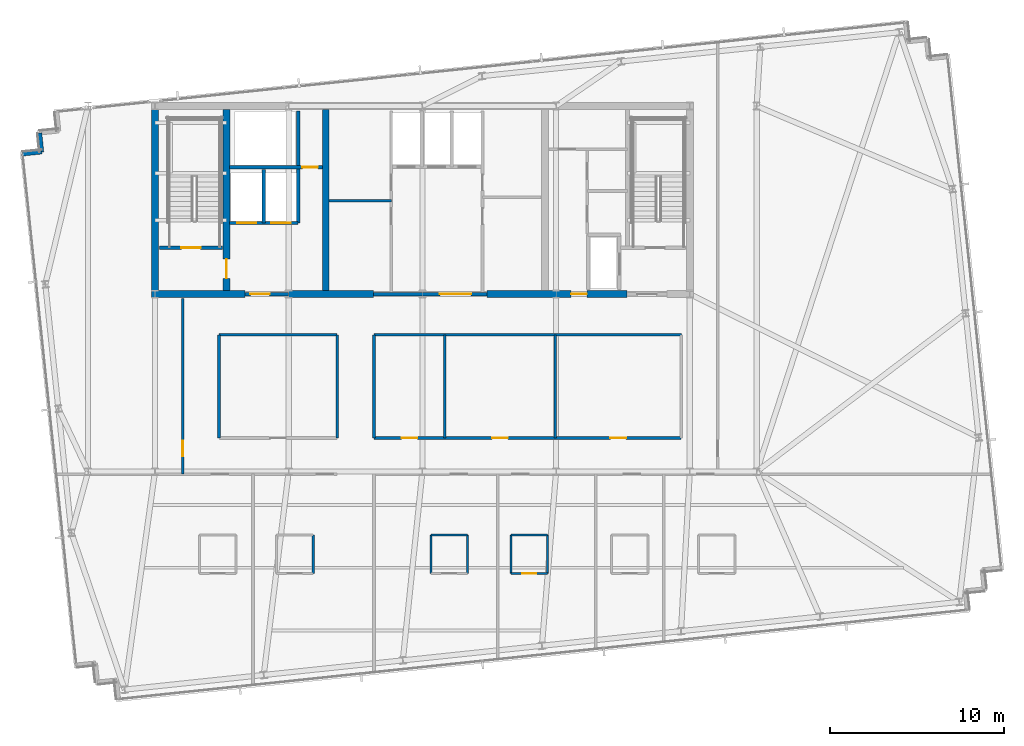
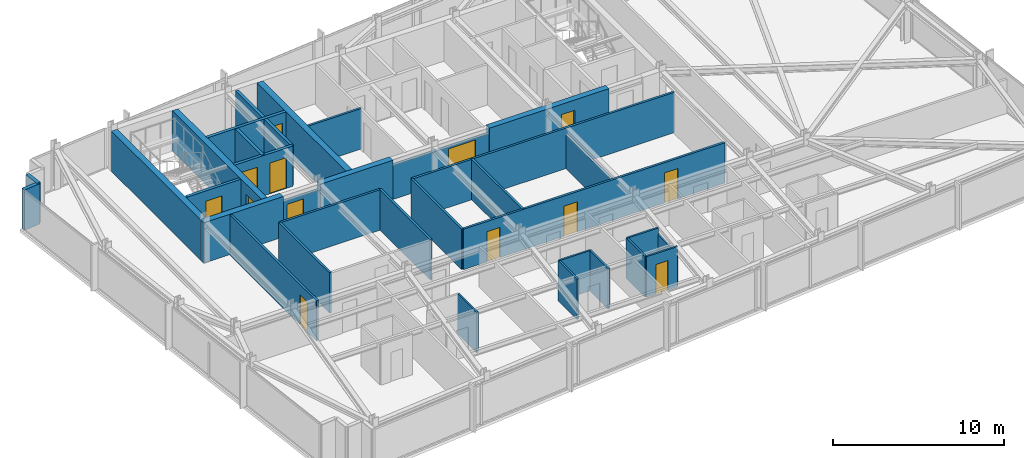
# One storey, part 27 of 33: 33 walls, 13 doors, 13 openings.
"""IFC4 building model written with IfcOpenShell, lengths in metres."""

from ifc_helpers import new_model, si_unit, direction, frame, frame_2d, origin, place, context, subcontext, project, spatial, rectangle, extrude, material, layer, layer_set, type_object, element, fill, save


model = new_model("IFC4")

# Units and contexts
model_context = context("Model", 3, precision=1e-05, world=origin(), true_north=direction((0.0, 1.0)))
body_context = subcontext(model_context, "Body", "Model", "MODEL_VIEW")
ifc_project = project(units=[si_unit("LENGTHUNIT", "METRE"), si_unit("AREAUNIT", "SQUARE_METRE"), si_unit("VOLUMEUNIT", "CUBIC_METRE"), si_unit("PLANEANGLEUNIT", "RADIAN"), si_unit("MASSUNIT", "GRAM", prefix="KILO")], contexts=[model_context])

# Site, building, storey
site_placement = place(None, origin())
site = spatial("IfcSite", under=ifc_project, at=site_placement, CompositionType="ELEMENT")
building_placement = place(site_placement, origin())
building = spatial("IfcBuilding", under=site, at=building_placement, Name="Yelkora Congress Tower", CompositionType="ELEMENT")
storey_placement = place(building_placement, frame((0.0, 0.0, 244.10009765625)))
storey = spatial("IfcBuildingStorey", under=building, at=storey_placement, Name="L68", CompositionType="ELEMENT", Elevation=244.10009765625)

# Walls
ifc_material_1 = material(Name="Concrete C50/60", Category="concrete")
ifc_layer_1 = layer(ifc_material_1, 0.39990234375)
ifc_layer_set_1 = layer_set([ifc_layer_1], Name="Concrete C50/60")
wall_type_1 = type_object("IfcWallType", Name="WALL-CORE-INT-400", PredefinedType="SHEAR", material=ifc_layer_set_1)
wall_1_placement = place(storey_placement, frame((22.840087890625, 35.39990234375, 0.0), z_axis=(0.0, 0.0, 1.0), x_axis=(1.0, 0.0, 0.0)))
element("IfcWall", 1, at=wall_1_placement, inside=storey, type_object=wall_type_1, Name="L68 Rear Core South-West Shear Wall", PredefinedType="SHEAR", context=body_context, shape_type="SweptSolid", body=[
    extrude(rectangle(XDim=5.35986328125, YDim=0.39990234375, at=frame_2d((2.679931640625, 0.0))), origin(), (0.0, 0.0, 1.0), 2.8798828125),
])
wall_2_placement = place(storey_placement, frame((30.719970703125, 35.39990234375, 0.0), z_axis=(0.0, 0.0, 1.0), x_axis=(1.0, 0.0, 0.0)))
element("IfcWall", 2, at=wall_2_placement, inside=storey, type_object=wall_type_1, Name="L68 Rear Core South-Center Shear Pier", PredefinedType="SHEAR", context=body_context, shape_type="SweptSolid", body=[
    extrude(rectangle(XDim=4.880126953125, YDim=0.39990234375, at=frame_2d((2.43994140625, 0.0))), origin(), (0.0, 0.0, 1.0), 2.8798828125),
])

# Wall, opening, door
wall_3_placement = place(storey_placement, frame((42.10009765625, 35.39990234375, 0.0), z_axis=(0.0, 0.0, 1.0), x_axis=(1.0, 0.0, 0.0)))
wall_3 = element("IfcWall", 3, at=wall_3_placement, inside=storey, type_object=wall_type_1, Name="L68 Rear Core South-East Shear Wall A", PredefinedType="SHEAR", context=body_context, shape_type="SweptSolid", body=[
    extrude(rectangle(XDim=8.0498046875, YDim=0.39990234375, at=frame_2d((4.02490234375, 0.0))), origin(), (0.0, 0.0, 1.0), 2.8798828125),
])
opening_1_placement = place(wall_3_placement, frame((4.85009765625, 0.0, 0.0)))
opening_1 = element("IfcOpeningElement", 4, at=opening_1_placement, cuts=wall_3, Name="Opening DR-090F6", PredefinedType="OPENING", context=body_context, shape_type="SweptSolid", body=[
    extrude(rectangle(XDim=0.89990234375, YDim=2.14990234375, at=frame_2d((0.449951171875, 1.074951171875))), frame((0.0, 0.2099609375, 0.0), z_axis=(0.0, -1.0, 0.0), x_axis=(1.0, 0.0, 0.0)), (0.0, 0.0, 1.0), 0.419921875),
])
ifc_material_2 = material(Name="Painted steel riser fire door leaf", Category="steel")
door_type_1 = type_object("IfcDoorType", Name="DOOR-FD60-900", OperationType="NOTDEFINED", PredefinedType="DOOR", material=ifc_material_2)
door_1_placement = place(opening_1_placement, origin())
door_1 = element("IfcDoor", 5, at=door_1_placement, inside=storey, type_object=door_type_1, Name="L68 Core Washroom Lobby Door", OperationType="SINGLE_SWING_RIGHT", OverallHeight=2.14990234375, OverallWidth=0.89990234375, PredefinedType="DOOR", context=body_context, shape_type="SweptSolid", body=[
    extrude(rectangle(XDim=0.89990234375, YDim=2.14990234375, at=frame_2d((0.449951171875, 1.074951171875))), frame((0.0, 0.02490234375, 0.0), z_axis=(0.0, -1.0, 0.0), x_axis=(1.0, 0.0, 0.0)), (0.0, 0.0, 1.0), 0.050048828125),
])
fill(opening_1, door_1)

# Wall
wall_4_placement = place(storey_placement, frame((23.0400390625, 35.60009765625, 0.0), z_axis=(0.0, 0.0, 1.0), x_axis=(0.0, 1.0, 0.0)))
element("IfcWall", 6, at=wall_4_placement, inside=storey, type_object=wall_type_1, Name="L68 Rear Core Cross Shear Wall W", PredefinedType="SHEAR", context=body_context, shape_type="SweptSolid", body=[
    extrude(rectangle(XDim=10.39990234375, YDim=0.39990234375, at=frame_2d((5.199951171875, 0.0))), origin(), (0.0, 0.0, 1.0), 2.8798828125),
])

# Wall, opening, door
wall_5_placement = place(storey_placement, frame((27.14990234375, 35.60009765625, 0.0), z_axis=(0.0, 0.0, 1.0), x_axis=(0.0, 1.0, 0.0)))
wall_5 = element("IfcWall", 7, at=wall_5_placement, inside=storey, type_object=wall_type_1, Name="L68 Rear Core Cross Shear Wall C1", PredefinedType="SHEAR", context=body_context, shape_type="SweptSolid", body=[
    extrude(rectangle(XDim=10.39990234375, YDim=0.39990234375, at=frame_2d((5.199951171875, 0.0))), origin(), (0.0, 0.0, 1.0), 2.8798828125),
])
opening_2_placement = place(wall_5_placement, frame((0.699951171875, 0.0, 0.0)))
opening_2 = element("IfcOpeningElement", 8, at=opening_2_placement, cuts=wall_5, Name="Opening DR-110F9", PredefinedType="OPENING", context=body_context, shape_type="SweptSolid", body=[
    extrude(rectangle(XDim=1.10009765625, YDim=2.14990234375, at=frame_2d((0.550048828125, 1.074951171875))), frame((0.0, 0.2099609375, 0.0), z_axis=(0.0, -1.0, 0.0), x_axis=(1.0, 0.0, 0.0)), (0.0, 0.0, 1.0), 0.419921875),
])
ifc_material_3 = material(Name="Galvanised steel fire door leaf", Category="steel")
door_type_2 = type_object("IfcDoorType", Name="DOOR-FD90-1100", OperationType="NOTDEFINED", PredefinedType="DOOR", material=ifc_material_3)
door_2_placement = place(opening_2_placement, origin())
door_2 = element("IfcDoor", 9, at=door_2_placement, inside=storey, type_object=door_type_2, Name="L68 Firefighting Stair Transfer Door", OperationType="SINGLE_SWING_LEFT", OverallHeight=2.14990234375, OverallWidth=1.10009765625, PredefinedType="DOOR", context=body_context, shape_type="SweptSolid", body=[
    extrude(rectangle(XDim=1.10009765625, YDim=2.14990234375, at=frame_2d((0.550048828125, 1.074951171875))), frame((0.0, 0.02490234375, 0.0), z_axis=(0.0, -1.0, 0.0), x_axis=(1.0, 0.0, 0.0)), (0.0, 0.0, 1.0), 0.050048828125),
])
fill(opening_2, door_2)

# Walls
wall_6_placement = place(storey_placement, frame((32.85009765625, 35.60009765625, 0.0), z_axis=(0.0, 0.0, 1.0), x_axis=(0.0, 1.0, 0.0)))
element("IfcWall", 10, at=wall_6_placement, inside=storey, type_object=wall_type_1, Name="L68 Rear Core Cross Shear Wall C2", PredefinedType="SHEAR", context=body_context, shape_type="SweptSolid", body=[
    extrude(rectangle(XDim=10.39990234375, YDim=0.39990234375, at=frame_2d((5.199951171875, 0.0))), origin(), (0.0, 0.0, 1.0), 2.8798828125),
])
ifc_material_4 = material(Name="Concrete C40/50", Category="concrete")
ifc_layer_2 = layer(ifc_material_4, 0.239990234375)
ifc_layer_set_2 = layer_set([ifc_layer_2], Name="Concrete C40/50")
wall_type_2 = type_object("IfcWallType", Name="WALL-EXT-LIMESTONE-240", PredefinedType="SOLIDWALL", material=ifc_layer_set_2)
wall_7_placement = place(storey_placement, frame((15.441162109375, 43.444580078125, 0.0), z_axis=(0.0, 0.0, 1.0), x_axis=(0.994495717747, 0.104777227405, 0.0)))
element("IfcWall", 11, at=wall_7_placement, inside=storey, type_object=wall_type_2, Name="L68 Serrated Corner Limestone Pier 6", PredefinedType="SOLIDWALL", context=body_context, shape_type="SweptSolid", body=[
    extrude(rectangle(XDim=1.099853515625, YDim=0.239990234375, at=frame_2d((0.5498046875, 0.0))), origin(), (0.0, 0.0, 1.0), 2.8798828125),
])
wall_8_placement = place(storey_placement, frame((16.534912109375, 43.559814453125, 0.0), z_axis=(0.0, 0.0, 1.0), x_axis=(-0.104315068386, 0.994544300928, 0.0)))
element("IfcWall", 12, at=wall_8_placement, inside=storey, type_object=wall_type_2, Name="L68 Serrated Corner Limestone Pier 7", PredefinedType="SOLIDWALL", context=body_context, shape_type="SweptSolid", body=[
    extrude(rectangle(XDim=1.10009765625, YDim=0.239990234375, at=frame_2d((0.550048828125, 0.0))), origin(), (0.0, 0.0, 1.0), 2.8798828125),
])
ifc_material_5 = material(Name="Moisture-resistant gypsum partition", Category="gypsum")
ifc_layer_3 = layer(ifc_material_5, 0.1201171875)
ifc_layer_set_3 = layer_set([ifc_layer_3], Name="Moisture-resistant gypsum partition")
wall_type_3 = type_object("IfcWallType", Name="WALL-INT-120-NR", PredefinedType="PARTITIONING", material=ifc_layer_set_3)
wall_9_placement = place(storey_placement, frame((32.1298828125, 19.35009765625, 0.0), z_axis=(0.0, 0.0, 1.0), x_axis=(0.0, 1.0, 0.0)))
element("IfcWall", 13, at=wall_9_placement, inside=storey, type_object=wall_type_3, Name="L68 Partition Wall 29", PredefinedType="PARTITIONING", context=body_context, shape_type="SweptSolid", body=[
    extrude(rectangle(XDim=2.199951171875, YDim=0.1201171875, at=frame_2d((1.10009765625, 0.0))), origin(), (0.0, 0.0, 1.0), 2.8798828125),
])
wall_10_placement = place(storey_placement, frame((38.89990234375, 21.550048828125, 0.0), z_axis=(0.0, 0.0, 1.0), x_axis=(1.0, 0.0, 0.0)))
element("IfcWall", 14, at=wall_10_placement, inside=storey, type_object=wall_type_3, Name="L68 Partition Wall 32", PredefinedType="PARTITIONING", context=body_context, shape_type="SweptSolid", body=[
    extrude(rectangle(XDim=2.10009765625, YDim=0.1201171875, at=frame_2d((1.050048828125, 0.0))), origin(), (0.0, 0.0, 1.0), 2.8798828125),
])
for number, where, z_axis, x_axis, name in (
    (15, (38.89990234375, 19.35009765625, 0.0), (0.0, 0.0, 1.0), (0.0, 1.0, 0.0), "L68 Partition Wall 33"),
    (16, (41.0, 19.35009765625, 0.0), (0.0, 0.0, 1.0), (0.0, 1.0, 0.0), "L68 Partition Wall 34"),
):
    element("IfcWall", number, at=place(storey_placement, frame(where, z_axis=z_axis, x_axis=x_axis)), inside=storey, type_object=wall_type_3, Name=name, PredefinedType="PARTITIONING", context=body_context, shape_type="SweptSolid", body=[
        extrude(rectangle(XDim=2.199951171875, YDim=0.1201171875, at=frame_2d((1.10009765625, 0.0))), origin(), (0.0, 0.0, 1.0), 2.8798828125),
    ])
wall_11_placement = place(storey_placement, frame((43.47998046875, 21.550048828125, 0.0), z_axis=(0.0, 0.0, 1.0), x_axis=(1.0, 0.0, 0.0)))
element("IfcWall", 17, at=wall_11_placement, inside=storey, type_object=wall_type_3, Name="L68 Partition Wall 37", PredefinedType="PARTITIONING", context=body_context, shape_type="SweptSolid", body=[
    extrude(rectangle(XDim=2.10009765625, YDim=0.1201171875, at=frame_2d((1.050048828125, 0.0))), origin(), (0.0, 0.0, 1.0), 2.8798828125),
])
wall_12_placement = place(storey_placement, frame((43.47998046875, 19.35009765625, 0.0), z_axis=(0.0, 0.0, 1.0), x_axis=(0.0, 1.0, 0.0)))
element("IfcWall", 18, at=wall_12_placement, inside=storey, type_object=wall_type_3, Name="L68 Partition Wall 38", PredefinedType="PARTITIONING", context=body_context, shape_type="SweptSolid", body=[
    extrude(rectangle(XDim=2.199951171875, YDim=0.1201171875, at=frame_2d((1.10009765625, 0.0))), origin(), (0.0, 0.0, 1.0), 2.8798828125),
])
wall_13_placement = place(storey_placement, frame((45.580078125, 19.35009765625, 0.0), z_axis=(0.0, 0.0, 1.0), x_axis=(0.0, 1.0, 0.0)))
element("IfcWall", 19, at=wall_13_placement, inside=storey, type_object=wall_type_3, Name="L68 Partition Wall 39", PredefinedType="PARTITIONING", context=body_context, shape_type="SweptSolid", body=[
    extrude(rectangle(XDim=2.199951171875, YDim=0.1201171875, at=frame_2d((1.10009765625, 0.0))), origin(), (0.0, 0.0, 1.0), 2.4248046875),
])

# Wall, opening, door
wall_14_placement = place(storey_placement, frame((43.47998046875, 19.35009765625, 0.0), z_axis=(0.0, 0.0, 1.0), x_axis=(1.0, 0.0, 0.0)))
wall_14 = element("IfcWall", 20, at=wall_14_placement, inside=storey, type_object=wall_type_3, Name="L68 Partition Wall 40", PredefinedType="PARTITIONING", context=body_context, shape_type="SweptSolid", body=[
    extrude(rectangle(XDim=2.10009765625, YDim=0.1201171875, at=frame_2d((1.050048828125, 0.0))), origin(), (0.0, 0.0, 1.0), 2.8798828125),
])
opening_3_placement = place(wall_14_placement, frame((0.64990234375, 0.0, 0.0)))
opening_3 = element("IfcOpeningElement", 21, at=opening_3_placement, cuts=wall_14, Name="Opening DR-080B", PredefinedType="OPENING", context=body_context, shape_type="SweptSolid", body=[
    extrude(rectangle(XDim=0.800048828125, YDim=2.10009765625, at=frame_2d((0.39990234375, 1.050048828125))), frame((0.0, 0.070068359375, 0.0), z_axis=(0.0, -1.0, 0.0), x_axis=(1.0, 0.0, 0.0)), (0.0, 0.0, 1.0), 0.14013671875),
])
ifc_material_6 = material(Name="Moisture-sealed en-suite timber door", Category="wood")
door_type_3 = type_object("IfcDoorType", Name="DOOR-BATH-800", OperationType="NOTDEFINED", PredefinedType="DOOR", material=ifc_material_6)
door_3_placement = place(opening_3_placement, origin())
door_3 = element("IfcDoor", 22, at=door_3_placement, inside=storey, type_object=door_type_3, Name="L68 En-suite Door 5", OperationType="SINGLE_SWING_LEFT", OverallHeight=2.10009765625, OverallWidth=0.800048828125, PredefinedType="DOOR", context=body_context, shape_type="SweptSolid", body=[
    extrude(rectangle(XDim=0.800048828125, YDim=2.10009765625, at=frame_2d((0.39990234375, 1.050048828125))), frame((0.0, 0.02490234375, 0.0), z_axis=(0.0, -1.0, 0.0), x_axis=(1.0, 0.0, 0.0)), (0.0, 0.0, 1.0), 0.050048828125),
])
fill(opening_3, door_3)

ifc_material_7 = material(Name="Acoustic metal-stud gypsum partition", Category="gypsum")
ifc_layer_4 = layer(ifc_material_7, 0.14990234375)
ifc_layer_set_4 = layer_set([ifc_layer_4], Name="Acoustic metal-stud gypsum partition")
wall_type_4 = type_object("IfcWallType", Name="WALL-INT-150-NR", PredefinedType="PARTITIONING", material=ifc_layer_set_4)
wall_15_placement = place(storey_placement, frame((24.639892578125, 25.050048828125, 0.0), z_axis=(0.0, 0.0, 1.0), x_axis=(0.0, 1.0, 0.0)))
wall_15 = element("IfcWall", 23, at=wall_15_placement, inside=storey, type_object=wall_type_4, Name="L68 Partition Wall 54", PredefinedType="PARTITIONING", context=body_context, shape_type="SweptSolid", body=[
    extrude(rectangle(XDim=10.08984375, YDim=0.14990234375, at=frame_2d((5.044921875, 0.0))), origin(), (0.0, 0.0, 1.0), 2.8798828125),
])
opening_4_placement = place(wall_15_placement, frame((1.030029296875, 0.0, 0.0)))
opening_4 = element("IfcOpeningElement", 24, at=opening_4_placement, cuts=wall_15, Name="Opening DR-090N", PredefinedType="OPENING", context=body_context, shape_type="SweptSolid", body=[
    extrude(rectangle(XDim=0.89990234375, YDim=2.14990234375, at=frame_2d((0.449951171875, 1.074951171875))), frame((0.0, 0.0849609375, 0.0), z_axis=(0.0, -1.0, 0.0), x_axis=(1.0, 0.0, 0.0)), (0.0, 0.0, 1.0), 0.169921875),
])
ifc_material_8 = material(Name="Moisture-resistant laminate door leaf", Category="wood")
door_type_4 = type_object("IfcDoorType", Name="DOOR-INT-900", OperationType="NOTDEFINED", PredefinedType="DOOR", material=ifc_material_8)
door_4_placement = place(opening_4_placement, origin())
door_4 = element("IfcDoor", 25, at=door_4_placement, inside=storey, type_object=door_type_4, Name="L68 W Wing Door", OperationType="SINGLE_SWING_RIGHT", OverallHeight=2.14990234375, OverallWidth=0.89990234375, PredefinedType="DOOR", context=body_context, shape_type="SweptSolid", body=[
    extrude(rectangle(XDim=0.89990234375, YDim=2.14990234375, at=frame_2d((0.449951171875, 1.074951171875))), frame((0.0, 0.02490234375, 0.0), z_axis=(0.0, -1.0, 0.0), x_axis=(1.0, 0.0, 0.0)), (0.0, 0.0, 1.0), 0.050048828125),
])
fill(opening_4, door_4)

# Walls
for number, where, z_axis, x_axis, name in (
    (26, (26.719970703125, 27.1298828125, 0.0), (0.0, 0.0, 1.0), (0.0, 1.0, 0.0), "L68 Partition Wall 56"),
    (27, (33.5, 27.1298828125, 0.0), (0.0, 0.0, 1.0), (0.0, 1.0, 0.0), "L68 Partition Wall 58"),
    (28, (35.6201171875, 27.1298828125, 0.0), (0.0, 0.0, 1.0), (0.0, 1.0, 0.0), "L68 Partition Wall 59"),
):
    element("IfcWall", number, at=place(storey_placement, frame(where, z_axis=z_axis, x_axis=x_axis)), inside=storey, type_object=wall_type_4, Name=name, PredefinedType="PARTITIONING", context=body_context, shape_type="SweptSolid", body=[
        extrude(rectangle(XDim=5.920166015625, YDim=0.14990234375, at=frame_2d((2.9599609375, 0.0))), origin(), (0.0, 0.0, 1.0), 2.8798828125),
    ])
wall_16_placement = place(storey_placement, frame((26.719970703125, 33.050048828125, 0.0), z_axis=(0.0, 0.0, 1.0), x_axis=(1.0, 0.0, 0.0)))
element("IfcWall", 29, at=wall_16_placement, inside=storey, type_object=wall_type_4, Name="L68 Partition Wall 60", PredefinedType="PARTITIONING", context=body_context, shape_type="SweptSolid", body=[
    extrude(rectangle(XDim=6.780029296875, YDim=0.14990234375, at=frame_2d((3.39013671875, 0.0))), origin(), (0.0, 0.0, 1.0), 2.8798828125),
])
wall_17_placement = place(storey_placement, frame((35.6201171875, 33.050048828125, 0.0), z_axis=(0.0, 0.0, 1.0), x_axis=(1.0, 0.0, 0.0)))
element("IfcWall", 30, at=wall_17_placement, inside=storey, type_object=wall_type_4, Name="L68 Partition Wall 61", PredefinedType="PARTITIONING", context=body_context, shape_type="SweptSolid", body=[
    extrude(rectangle(XDim=17.659912109375, YDim=0.14990234375, at=frame_2d((8.830078125, 0.0))), origin(), (0.0, 0.0, 1.0), 2.8798828125),
])
wall_18_placement = place(storey_placement, frame((39.68505859375, 27.1298828125, 0.0), z_axis=(0.0, 0.0, 1.0), x_axis=(0.0, 1.0, 0.0)))
element("IfcWall", 31, at=wall_18_placement, inside=storey, type_object=wall_type_4, Name="L68 Partition Wall 63", PredefinedType="PARTITIONING", context=body_context, shape_type="SweptSolid", body=[
    extrude(rectangle(XDim=5.920166015625, YDim=0.14990234375, at=frame_2d((2.9599609375, 0.0))), origin(), (0.0, 0.0, 1.0), 2.8798828125),
])
wall_19_placement = place(storey_placement, frame((46.031982421875, 27.1298828125, 0.0), z_axis=(0.0, 0.0, 1.0), x_axis=(0.0, 1.0, 0.0)))
element("IfcWall", 32, at=wall_19_placement, inside=storey, type_object=wall_type_4, Name="L68 Partition Wall 64", PredefinedType="PARTITIONING", context=body_context, shape_type="SweptSolid", body=[
    extrude(rectangle(XDim=5.920166015625, YDim=0.14990234375, at=frame_2d((2.9599609375, 0.0))), origin(), (0.0, 0.0, 1.0), 2.4248046875),
])

# Wall, openings, doors
wall_20_placement = place(storey_placement, frame((35.6298828125, 27.1298828125, 0.0), z_axis=(0.0, 0.0, 1.0), x_axis=(1.0, 0.0, 0.0)))
wall_20 = element("IfcWall", 33, at=wall_20_placement, inside=storey, type_object=wall_type_4, Name="L68 Partition Wall 65", PredefinedType="PARTITIONING", context=body_context, shape_type="SweptSolid", body=[
    extrude(rectangle(XDim=17.630126953125, YDim=0.14990234375, at=frame_2d((8.81494140625, 0.0))), origin(), (0.0, 0.0, 1.0), 2.8798828125),
])
opening_5_placement = place(wall_20_placement, frame((1.577392578125, 0.0, 0.0)))
opening_5 = element("IfcOpeningElement", 34, at=opening_5_placement, cuts=wall_20, Name="Opening DR-090N", PredefinedType="OPENING", context=body_context, shape_type="SweptSolid", body=[
    extrude(rectangle(XDim=0.89990234375, YDim=2.14990234375, at=frame_2d((0.449951171875, 1.074951171875))), frame((0.0, 0.0849609375, 0.0), z_axis=(0.0, -1.0, 0.0), x_axis=(1.0, 0.0, 0.0)), (0.0, 0.0, 1.0), 0.169921875),
])
opening_6_placement = place(wall_20_placement, frame((6.778564453125, 0.0, 0.0)))
opening_6 = element("IfcOpeningElement", 35, at=opening_6_placement, cuts=wall_20, Name="Opening DR-090N", PredefinedType="OPENING", context=body_context, shape_type="SweptSolid", body=[
    extrude(rectangle(XDim=0.89990234375, YDim=2.14990234375, at=frame_2d((0.449951171875, 1.074951171875))), frame((0.0, 0.0849609375, 0.0), z_axis=(0.0, -1.0, 0.0), x_axis=(1.0, 0.0, 0.0)), (0.0, 0.0, 1.0), 0.169921875),
])
opening_7_placement = place(wall_20_placement, frame((13.56591796875, 0.0, 0.0)))
opening_7 = element("IfcOpeningElement", 36, at=opening_7_placement, cuts=wall_20, Name="Opening DR-090N", PredefinedType="OPENING", context=body_context, shape_type="SweptSolid", body=[
    extrude(rectangle(XDim=0.89990234375, YDim=2.14990234375, at=frame_2d((0.449951171875, 1.074951171875))), frame((0.0, 0.0849609375, 0.0), z_axis=(0.0, -1.0, 0.0), x_axis=(1.0, 0.0, 0.0)), (0.0, 0.0, 1.0), 0.169921875),
])
door_5_placement = place(opening_5_placement, origin())
door_5 = element("IfcDoor", 37, at=door_5_placement, inside=storey, type_object=door_type_4, Name="L68 Executive Study Office Door", OperationType="SINGLE_SWING_LEFT", OverallHeight=2.14990234375, OverallWidth=0.89990234375, PredefinedType="DOOR", context=body_context, shape_type="SweptSolid", body=[
    extrude(rectangle(XDim=0.89990234375, YDim=2.14990234375, at=frame_2d((0.449951171875, 1.074951171875))), frame((0.0, 0.02490234375, 0.0), z_axis=(0.0, -1.0, 0.0), x_axis=(1.0, 0.0, 0.0)), (0.0, 0.0, 1.0), 0.050048828125),
])
fill(opening_5, door_5)
door_6_placement = place(opening_6_placement, origin())
door_6 = element("IfcDoor", 38, at=door_6_placement, inside=storey, type_object=door_type_4, Name="L68 Delegate Reading Lounge Door", OperationType="SINGLE_SWING_RIGHT", OverallHeight=2.14990234375, OverallWidth=0.89990234375, PredefinedType="DOOR", context=body_context, shape_type="SweptSolid", body=[
    extrude(rectangle(XDim=0.89990234375, YDim=2.14990234375, at=frame_2d((0.449951171875, 1.074951171875))), frame((0.0, 0.02490234375, 0.0), z_axis=(0.0, -1.0, 0.0), x_axis=(1.0, 0.0, 0.0)), (0.0, 0.0, 1.0), 0.050048828125),
])
fill(opening_6, door_6)
door_7_placement = place(opening_7_placement, origin())
door_7 = element("IfcDoor", 39, at=door_7_placement, inside=storey, type_object=door_type_4, Name="L68 Seminar Briefing Room Door", OperationType="SINGLE_SWING_LEFT", OverallHeight=2.14990234375, OverallWidth=0.89990234375, PredefinedType="DOOR", context=body_context, shape_type="SweptSolid", body=[
    extrude(rectangle(XDim=0.89990234375, YDim=2.14990234375, at=frame_2d((0.449951171875, 1.074951171875))), frame((0.0, 0.02490234375, 0.0), z_axis=(0.0, -1.0, 0.0), x_axis=(1.0, 0.0, 0.0)), (0.0, 0.0, 1.0), 0.050048828125),
])
fill(opening_7, door_7)

# Wall
ifc_material_9 = material(Name="Twin-stud fire-rated gypsum partition", Category="gypsum")
ifc_layer_5 = layer(ifc_material_9, 0.14990234375)
ifc_layer_set_5 = layer_set([ifc_layer_5], Name="Twin-stud fire-rated gypsum partition")
wall_type_5 = type_object("IfcWallType", Name="WALL-INT-150-R60", PredefinedType="PARTITIONING", material=ifc_layer_set_5)
wall_21_placement = place(storey_placement, frame((33.050048828125, 40.75, 0.0), z_axis=(0.0, 0.0, 1.0), x_axis=(1.0, 0.0, 0.0)))
element("IfcWall", 40, at=wall_21_placement, inside=storey, type_object=wall_type_5, Name="L68 Partition Wall 11", PredefinedType="PARTITIONING", context=body_context, shape_type="SweptSolid", body=[
    extrude(rectangle(XDim=3.570068359375, YDim=0.14990234375, at=frame_2d((1.78515625, 0.0))), origin(), (0.0, 0.0, 1.0), 2.8798828125),
])

# Wall, opening, door
ifc_material_10 = material(Name="Autoclaved aerated concrete blockwork", Category="masonry")
ifc_layer_6 = layer(ifc_material_10, 0.199951171875)
ifc_layer_set_6 = layer_set([ifc_layer_6], Name="Autoclaved aerated concrete blockwork")
wall_type_6 = type_object("IfcWallType", Name="WALL-INT-200-R120", PredefinedType="PARTITIONING", material=ifc_layer_set_6)
wall_22_placement = place(storey_placement, frame((23.300048828125, 38.050048828125, 0.0), z_axis=(0.0, 0.0, 1.0), x_axis=(1.0, 0.0, 0.0)))
wall_22 = element("IfcWall", 41, at=wall_22_placement, inside=storey, type_object=wall_type_6, Name="L68 Stair ST-01 Enclosure Wall", PredefinedType="PARTITIONING", context=body_context, shape_type="SweptSolid", body=[
    extrude(rectangle(XDim=3.619873046875, YDim=0.199951171875, at=frame_2d((1.81005859375, 0.0))), origin(), (0.0, 0.0, 1.0), 2.8798828125),
])
opening_8_placement = place(wall_22_placement, frame((1.260009765625, 0.0, 0.0)))
opening_8 = element("IfcOpeningElement", 42, at=opening_8_placement, cuts=wall_22, Name="Opening DR-110F9", PredefinedType="OPENING", context=body_context, shape_type="SweptSolid", body=[
    extrude(rectangle(XDim=1.10009765625, YDim=2.14990234375, at=frame_2d((0.550048828125, 1.074951171875))), frame((0.0, 0.10986328125, 0.0), z_axis=(0.0, -1.0, 0.0), x_axis=(1.0, 0.0, 0.0)), (0.0, 0.0, 1.0), 0.219970703125),
])
door_8_placement = place(opening_8_placement, origin())
door_8 = element("IfcDoor", 43, at=door_8_placement, inside=storey, type_object=door_type_2, Name="L68 Stair ST-01 Entry Door", OperationType="SINGLE_SWING_LEFT", OverallHeight=2.14990234375, OverallWidth=1.10009765625, PredefinedType="DOOR", context=body_context, shape_type="SweptSolid", body=[
    extrude(rectangle(XDim=1.10009765625, YDim=2.14990234375, at=frame_2d((0.550048828125, 1.074951171875))), frame((0.0, 0.02490234375, 0.0), z_axis=(0.0, -1.0, 0.0), x_axis=(1.0, 0.0, 0.0)), (0.0, 0.0, 1.0), 0.050048828125),
])
fill(opening_8, door_8)

wall_23_placement = place(storey_placement, frame((28.219970703125, 35.39990234375, 0.0), z_axis=(0.0, 0.0, 1.0), x_axis=(1.0, 0.0, 0.0)))
wall_23 = element("IfcWall", 44, at=wall_23_placement, inside=storey, type_object=wall_type_6, Name="L68 Firefighting Lobby South Wall", PredefinedType="PARTITIONING", context=body_context, shape_type="SweptSolid", body=[
    extrude(rectangle(XDim=2.5, YDim=0.199951171875, at=frame_2d((1.25, 0.0))), origin(), (0.0, 0.0, 1.0), 2.4248046875),
])
opening_9_placement = place(wall_23_placement, frame((0.300048828125, 0.0, 0.0)))
opening_9 = element("IfcOpeningElement", 45, at=opening_9_placement, cuts=wall_23, Name="Opening DR-110F9", PredefinedType="OPENING", context=body_context, shape_type="SweptSolid", body=[
    extrude(rectangle(XDim=1.10009765625, YDim=2.14990234375, at=frame_2d((0.550048828125, 1.074951171875))), frame((0.0, 0.10986328125, 0.0), z_axis=(0.0, -1.0, 0.0), x_axis=(1.0, 0.0, 0.0)), (0.0, 0.0, 1.0), 0.219970703125),
])
door_9_placement = place(opening_9_placement, origin())
door_9 = element("IfcDoor", 46, at=door_9_placement, inside=storey, type_object=door_type_2, Name="L68 Firefighting Lobby Corridor Door", OperationType="SINGLE_SWING_RIGHT", OverallHeight=2.14990234375, OverallWidth=1.10009765625, PredefinedType="DOOR", context=body_context, shape_type="SweptSolid", body=[
    extrude(rectangle(XDim=1.10009765625, YDim=2.14990234375, at=frame_2d((0.550048828125, 1.074951171875))), frame((0.0, 0.02490234375, 0.0), z_axis=(0.0, -1.0, 0.0), x_axis=(1.0, 0.0, 0.0)), (0.0, 0.0, 1.0), 0.050048828125),
])
fill(opening_9, door_9)

# Wall, openings, doors
wall_24_placement = place(storey_placement, frame((27.320068359375, 39.47998046875, 0.0), z_axis=(0.0, 0.0, 1.0), x_axis=(1.0, 0.0, 0.0)))
wall_24 = element("IfcWall", 47, at=wall_24_placement, inside=storey, type_object=wall_type_6, Name="L68 Firefighting Lift Front Wall", PredefinedType="PARTITIONING", context=body_context, shape_type="SweptSolid", body=[
    extrude(rectangle(XDim=3.93994140625, YDim=0.199951171875, at=frame_2d((1.969970703125, 0.0))), origin(), (0.0, 0.0, 1.0), 2.8798828125),
])
opening_10_placement = place(wall_24_placement, frame((0.449951171875, 0.0, 0.0)))
opening_10 = element("IfcOpeningElement", 48, at=opening_10_placement, cuts=wall_24, Name="Opening LD-FF11", PredefinedType="OPENING", context=body_context, shape_type="SweptSolid", body=[
    extrude(rectangle(XDim=1.10009765625, YDim=2.199951171875, at=frame_2d((0.550048828125, 1.10009765625))), frame((0.0, 0.10986328125, 0.0), z_axis=(0.0, -1.0, 0.0), x_axis=(1.0, 0.0, 0.0)), (0.0, 0.0, 1.0), 0.219970703125),
])
opening_11_placement = place(wall_24_placement, frame((2.409912109375, 0.0, 0.0)))
opening_11 = element("IfcOpeningElement", 49, at=opening_11_placement, cuts=wall_24, Name="Opening LD-FF11", PredefinedType="OPENING", context=body_context, shape_type="SweptSolid", body=[
    extrude(rectangle(XDim=1.10009765625, YDim=2.199951171875, at=frame_2d((0.550048828125, 1.10009765625))), frame((0.0, 0.10986328125, 0.0), z_axis=(0.0, -1.0, 0.0), x_axis=(1.0, 0.0, 0.0)), (0.0, 0.0, 1.0), 0.219970703125),
])
ifc_material_11 = material(Name="Brushed stainless steel 316L landing door", Category="steel")
door_type_5 = type_object("IfcDoorType", Name="DOOR-LIFT-FF-1100", OperationType="DOUBLE_DOOR_SLIDING", PredefinedType="DOOR", material=ifc_material_11)
door_10_placement = place(opening_10_placement, origin())
door_10 = element("IfcDoor", 50, at=door_10_placement, inside=storey, type_object=door_type_5, Name="Lift Landing Door LF-FF1 L68", OperationType="DOUBLE_DOOR_SLIDING", OverallHeight=2.199951171875, OverallWidth=1.10009765625, PredefinedType="DOOR", context=body_context, shape_type="SweptSolid", body=[
    extrude(rectangle(XDim=1.10009765625, YDim=2.199951171875, at=frame_2d((0.550048828125, 1.10009765625))), frame((0.0, 0.02490234375, 0.0), z_axis=(0.0, -1.0, 0.0), x_axis=(1.0, 0.0, 0.0)), (0.0, 0.0, 1.0), 0.050048828125),
])
fill(opening_10, door_10)
door_11_placement = place(opening_11_placement, origin())
door_11 = element("IfcDoor", 51, at=door_11_placement, inside=storey, type_object=door_type_5, Name="Lift Landing Door LF-FF2 L68", OperationType="DOUBLE_DOOR_SLIDING", OverallHeight=2.199951171875, OverallWidth=1.10009765625, PredefinedType="DOOR", context=body_context, shape_type="SweptSolid", body=[
    extrude(rectangle(XDim=1.10009765625, YDim=2.199951171875, at=frame_2d((0.550048828125, 1.10009765625))), frame((0.0, 0.02490234375, 0.0), z_axis=(0.0, -1.0, 0.0), x_axis=(1.0, 0.0, 0.0)), (0.0, 0.0, 1.0), 0.050048828125),
])
fill(opening_11, door_11)

# Walls
wall_25_placement = place(storey_placement, frame((29.300048828125, 39.47998046875, 0.0), z_axis=(0.0, 0.0, 1.0), x_axis=(0.0, 1.0, 0.0)))
element("IfcWall", 52, at=wall_25_placement, inside=storey, type_object=wall_type_6, Name="L68 Partition Wall 4", PredefinedType="PARTITIONING", context=body_context, shape_type="SweptSolid", body=[
    extrude(rectangle(XDim=3.070068359375, YDim=0.199951171875, at=frame_2d((1.53515625, 0.0))), origin(), (0.0, 0.0, 1.0), 2.8798828125),
])
wall_26_placement = place(storey_placement, frame((31.260009765625, 39.47998046875, 0.0), z_axis=(0.0, 0.0, 1.0), x_axis=(0.0, 1.0, 0.0)))
element("IfcWall", 53, at=wall_26_placement, inside=storey, type_object=wall_type_6, Name="L68 Partition Wall 5", PredefinedType="PARTITIONING", context=body_context, shape_type="SweptSolid", body=[
    extrude(rectangle(XDim=6.43994140625, YDim=0.199951171875, at=frame_2d((3.219970703125, 0.0))), origin(), (0.0, 0.0, 1.0), 2.8798828125),
])

# Wall, opening, door
wall_27_placement = place(storey_placement, frame((27.320068359375, 42.679931640625, 0.0), z_axis=(0.0, 0.0, 1.0), x_axis=(1.0, 0.0, 0.0)))
wall_27 = element("IfcWall", 54, at=wall_27_placement, inside=storey, type_object=wall_type_6, Name="L68 Smoke Riser South Wall", PredefinedType="PARTITIONING", context=body_context, shape_type="SweptSolid", body=[
    extrude(rectangle(XDim=5.329833984375, YDim=0.199951171875, at=frame_2d((2.6650390625, 0.0))), origin(), (0.0, 0.0, 1.0), 2.8798828125),
])
opening_12_placement = place(wall_27_placement, frame((4.179931640625, 0.0, 0.0)))
opening_12 = element("IfcOpeningElement", 55, at=opening_12_placement, cuts=wall_27, Name="Opening DR-090F6", PredefinedType="OPENING", context=body_context, shape_type="SweptSolid", body=[
    extrude(rectangle(XDim=0.89990234375, YDim=2.14990234375, at=frame_2d((0.449951171875, 1.074951171875))), frame((0.0, 0.10986328125, 0.0), z_axis=(0.0, -1.0, 0.0), x_axis=(1.0, 0.0, 0.0)), (0.0, 0.0, 1.0), 0.219970703125),
])
door_12_placement = place(opening_12_placement, origin())
door_12 = element("IfcDoor", 56, at=door_12_placement, inside=storey, type_object=door_type_1, Name="L68 Riser Access Door", OperationType="SINGLE_SWING_LEFT", OverallHeight=2.14990234375, OverallWidth=0.89990234375, PredefinedType="DOOR", context=body_context, shape_type="SweptSolid", body=[
    extrude(rectangle(XDim=0.89990234375, YDim=2.14990234375, at=frame_2d((0.449951171875, 1.074951171875))), frame((0.0, 0.02490234375, 0.0), z_axis=(0.0, -1.0, 0.0), x_axis=(1.0, 0.0, 0.0)), (0.0, 0.0, 1.0), 0.050048828125),
])
fill(opening_12, door_12)

wall_28_placement = place(storey_placement, frame((35.60009765625, 35.39990234375, 0.0), z_axis=(0.0, 0.0, 1.0), x_axis=(1.0, 0.0, 0.0)))
wall_28 = element("IfcWall", 57, at=wall_28_placement, inside=storey, type_object=wall_type_6, Name="L68 Main Lift Lobby South Portal Wall", PredefinedType="PARTITIONING", context=body_context, shape_type="SweptSolid", body=[
    extrude(rectangle(XDim=6.5, YDim=0.199951171875, at=frame_2d((3.25, 0.0))), origin(), (0.0, 0.0, 1.0), 2.4248046875),
])
opening_13_placement = place(wall_28_placement, frame((3.800048828125, 0.0, 0.0)))
opening_13 = element("IfcOpeningElement", 58, at=opening_13_placement, cuts=wall_28, Name="Opening DR-180D", PredefinedType="OPENING", context=body_context, shape_type="SweptSolid", body=[
    extrude(rectangle(XDim=1.800048828125, YDim=2.300048828125, at=frame_2d((0.89990234375, 1.14990234375))), frame((0.0, 0.10986328125, 0.0), z_axis=(0.0, -1.0, 0.0), x_axis=(1.0, 0.0, 0.0)), (0.0, 0.0, 1.0), 0.219970703125),
])
ifc_material_12 = material(Name="Acoustic double congress hall doors", Category="wood")
door_type_6 = type_object("IfcDoorType", Name="DOOR-DBL-1800", OperationType="DOUBLE_DOOR_SINGLE_SWING", PredefinedType="DOOR", material=ifc_material_12)
door_13_placement = place(opening_13_placement, origin())
door_13 = element("IfcDoor", 59, at=door_13_placement, inside=storey, type_object=door_type_6, Name="L68 Main Lift Lobby Portal Door", OperationType="DOUBLE_DOOR_SINGLE_SWING", OverallHeight=2.300048828125, OverallWidth=1.800048828125, PredefinedType="DOOR", context=body_context, shape_type="SweptSolid", body=[
    extrude(rectangle(XDim=1.800048828125, YDim=2.300048828125, at=frame_2d((0.89990234375, 1.14990234375))), frame((0.0, 0.02490234375, 0.0), z_axis=(0.0, -1.0, 0.0), x_axis=(1.0, 0.0, 0.0)), (0.0, 0.0, 1.0), 0.050048828125),
])
fill(opening_13, door_13)

save(model, "model.ifc")
